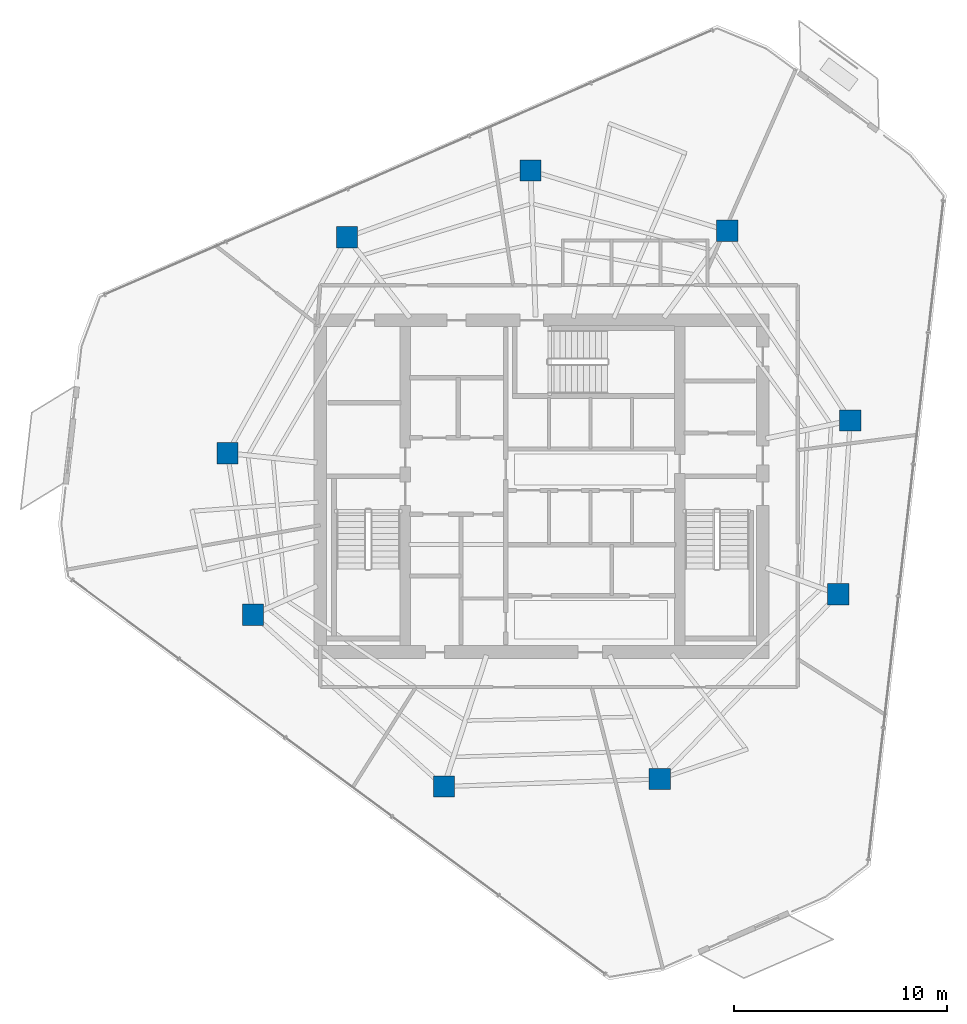
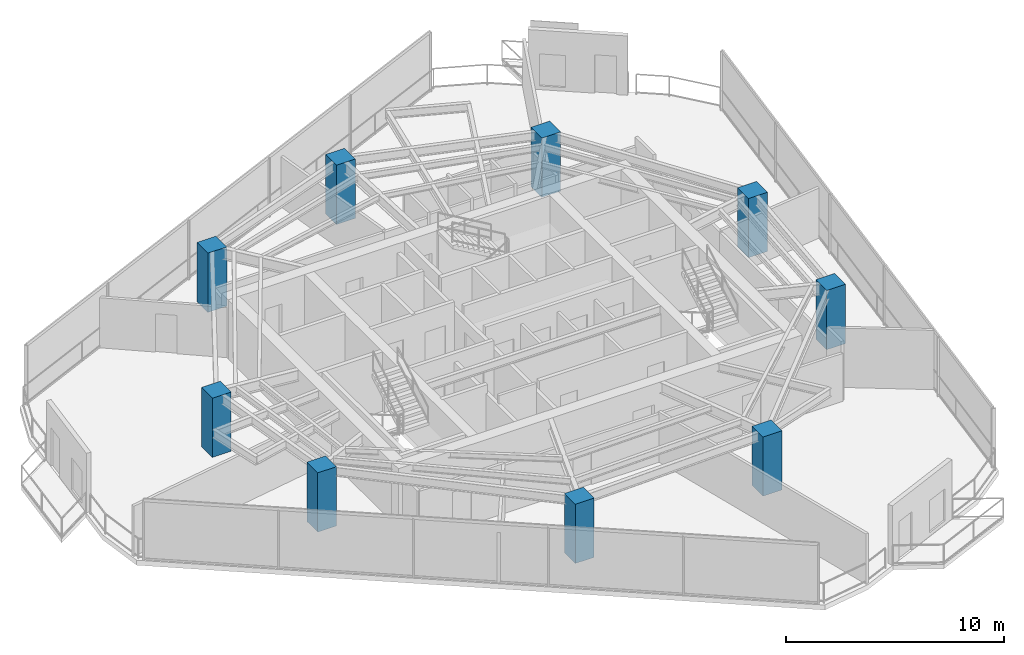
# One storey, part 1 of 22: 9 columns.
"""IFC4 building model written with IfcOpenShell, lengths in metres."""

from ifc_helpers import new_model, si_unit, direction, frame, origin, origin_2d, place, context, subcontext, project, spatial, rectangle, extrude, material, material_profile, profile_set, type_object, element, save


model = new_model("IFC4")

# Units and contexts
model_context = context("Model", 3, precision=1e-05, world=origin(), true_north=direction((0.0, 1.0)))
body_context = subcontext(model_context, "Body", "Model", "MODEL_VIEW")
ifc_project = project(units=[si_unit("LENGTHUNIT", "METRE"), si_unit("AREAUNIT", "SQUARE_METRE"), si_unit("VOLUMEUNIT", "CUBIC_METRE"), si_unit("PLANEANGLEUNIT", "RADIAN"), si_unit("MASSUNIT", "GRAM", prefix="KILO")], contexts=[model_context])

# Site, building, storey
site_placement = place(None, origin())
site = spatial("IfcSite", under=ifc_project, at=site_placement, CompositionType="ELEMENT")
building_placement = place(site_placement, origin())
building = spatial("IfcBuilding", under=site, at=building_placement, Name="Qarnah Convention Tower", CompositionType="ELEMENT")
storey_placement = place(building_placement, frame((0.0, 0.0, 154.5)))
storey = spatial("IfcBuildingStorey", under=building, at=storey_placement, Name="L41", CompositionType="ELEMENT", Elevation=154.5)

# Columns
ifc_material = material(Name="Concrete C60/75", Category="concrete")
ifc_material_profile = material_profile(ifc_material, rectangle(XDim=1.0, YDim=1.0, at=origin_2d()), Name="RC-COL-1000X1000")
ifc_profile_set = profile_set([ifc_material_profile], Name="Concrete C60/75")
column_type = type_object("IfcColumnType", Name="COL-Z3-1000", PredefinedType="COLUMN", material=ifc_profile_set)
for number, where, z_axis, x_axis, name in (
    (1, (51.72509765625, 29.487060546875, 0.0), (0.0, 0.0, 1.0), (1.0, 0.0, 0.0), "L41 plumb column PC-Z3-01"),
    (2, (45.928955078125, 38.4140625, 0.0), (0.0, 0.0, 1.0), (1.0, 0.0, 0.0), "L41 plumb column PC-Z3-02"),
    (3, (36.681884765625, 41.240966796875, 0.0), (0.0, 0.0, 1.0), (1.0, 0.0, 0.0), "L41 plumb column PC-Z3-03"),
    (4, (28.056884765625, 38.10205078125, 0.0), (0.0, 0.0, 1.0), (1.0, 0.0, 0.0), "L41 plumb column PC-Z3-04"),
    (5, (22.430908203125, 27.951904296875, 0.0), (0.0, 0.0, 1.0), (1.0, 0.0, 0.0), "L41 plumb column PC-Z3-05"),
    (6, (23.634033203125, 20.360107421875, 0.0), (0.0, 0.0, 1.0), (1.0, 0.0, 0.0), "L41 plumb column PC-Z3-06"),
    (7, (32.611083984375, 12.277099609375, 0.0), (0.0, 0.0, 1.0), (1.0, 0.0, 0.0), "L41 plumb column PC-Z3-07"),
    (8, (42.762939453125, 12.631103515625, 0.0), (0.0, 0.0, 1.0), (1.0, 0.0, 0.0), "L41 plumb column PC-Z3-08"),
    (9, (51.154052734375, 21.321044921875, 0.0), (0.0, 0.0, 1.0), (1.0, 0.0, 0.0), "L41 plumb column PC-Z3-09"),
):
    element("IfcColumn", number, at=place(storey_placement, frame(where, z_axis=z_axis, x_axis=x_axis)), inside=storey, type_object=column_type, Name=name, PredefinedType="COLUMN", context=body_context, shape_type="SweptSolid", body=[
        extrude(rectangle(XDim=1.0, YDim=1.0, at=origin_2d()), origin(), (0.0, 0.0, 1.0), 3.320068359375),
    ])

save(model, "model.ifc")
